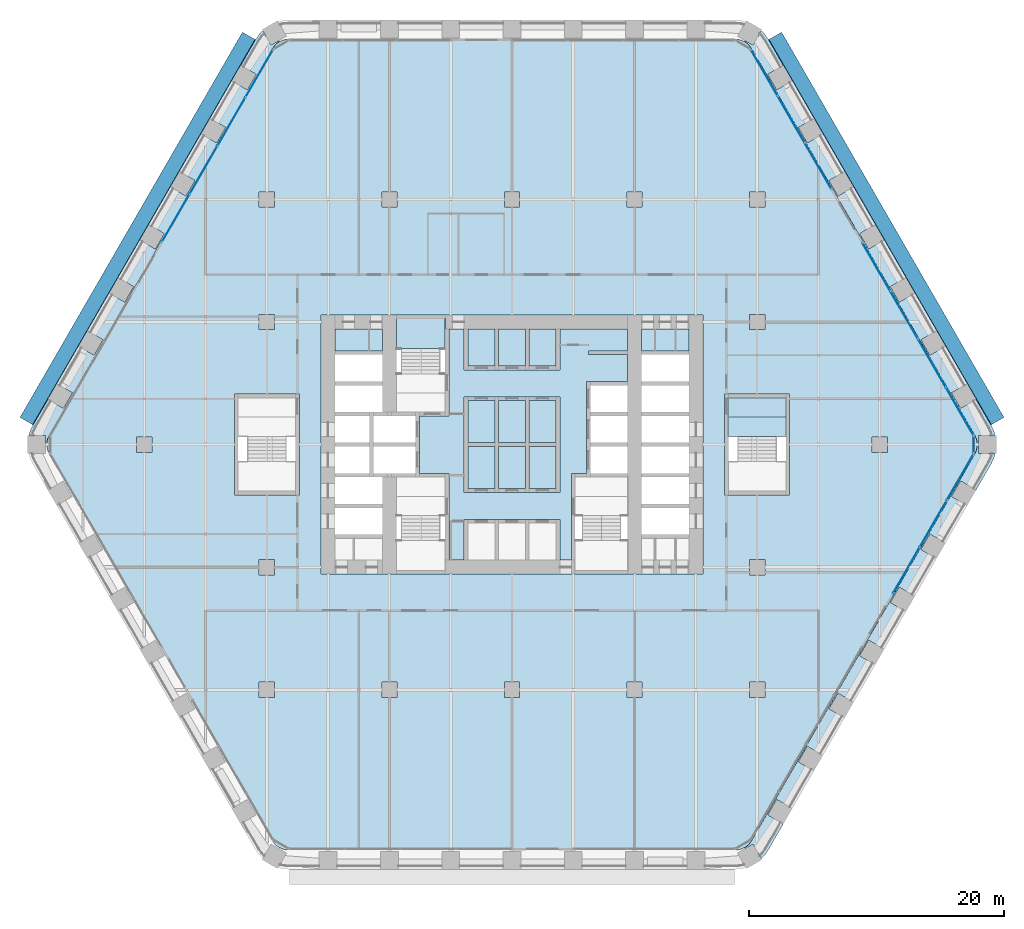
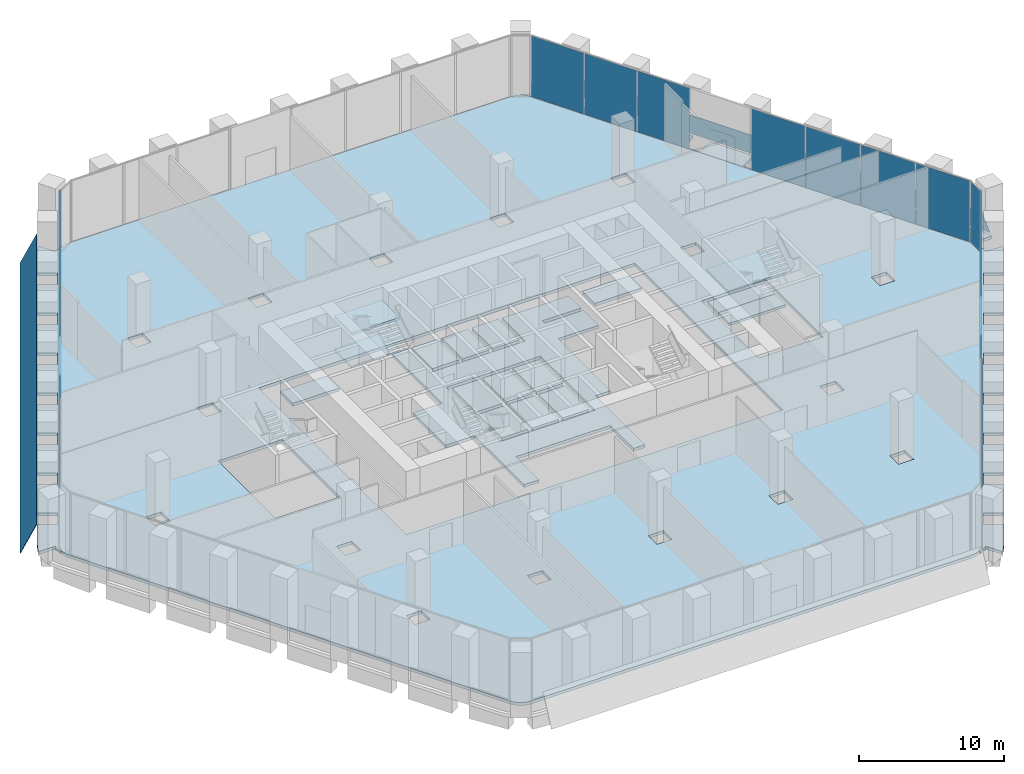
# One storey, part 16 of 27: 21 slabs, 17 plates, 7 elements without a shape of their own.
"""IFC4 building model written with IfcOpenShell, lengths in metres."""

import ifcopenshell
import ifcopenshell.guid

model = None  # the IFC model being written
_history = None  # IfcOwnerHistory: only IFC2X3 demands one
_inside = {}  # id of a spatial element -> (the spatial element, [elements in it])
_under = {}  # id of a project, library or spatial element -> (it, [spatial elements below it])
_declared = {}  # id of a project -> (the project, [libraries it declares])
_typed = {}  # id of a type object -> (the type object, [elements of that type])
_made_of = {}  # id of a material, layer set ... -> (it, [elements and type objects made of it])


def new_model(schema):
    """Start an empty IFC model of exactly this schema.

    Asked for "IFC4X3", IfcOpenShell would pick the latest addendum, in which some entities
    have other attributes; the version numbers below select the first issue.
    IFC2X3 requires an IfcOwnerHistory on every rooted entity: one is made here for all.
    """
    global model, _history
    if schema == "IFC4X3":
        model = ifcopenshell.file(schema_version=(4, 3, 0, 0))
    else:
        model = ifcopenshell.file(schema=schema)
    _inside.clear()
    _under.clear()
    _declared.clear()
    _typed.clear()
    _made_of.clear()
    _history = None
    if model.schema == "IFC2X3":
        org = make("IfcOrganization", Name="unknown")
        user = make(
            "IfcPersonAndOrganization",
            ThePerson=make("IfcPerson", FamilyName="unknown"),
            TheOrganization=org,
        )
        app = make(
            "IfcApplication",
            ApplicationDeveloper=org,
            Version="unknown",
            ApplicationFullName="unknown",
            ApplicationIdentifier="unknown",
        )
        _history = make(
            "IfcOwnerHistory",
            OwningUser=user,
            OwningApplication=app,
            ChangeAction="ADDED",
            CreationDate=0,
        )
    return model


def make(cls, **values):
    """One entity of the class cls with the attributes given. An attribute that is None is left unset."""
    return model.create_entity(
        cls, **{name: value for name, value in values.items() if value is not None}
    )


def rooted(cls, **values):
    """An entity with a GlobalId (a new one), such as an element, a storey or a relation."""
    return make(cls, GlobalId=ifcopenshell.guid.new(), OwnerHistory=_history, **values)


def si_unit(unit_type, name, prefix=None):
    """IfcSIUnit, for example si_unit("LENGTHUNIT", "METRE", prefix="MILLI")."""
    return make("IfcSIUnit", UnitType=unit_type, Prefix=prefix, Name=name)


def assignment(units):
    """IfcUnitAssignment: the units of a project."""
    return None if units is None else make("IfcUnitAssignment", Units=units)


def point(xyz):
    """IfcCartesianPoint."""
    return None if xyz is None else make("IfcCartesianPoint", Coordinates=xyz)


def direction(xyz):
    """IfcDirection."""
    return None if xyz is None else make("IfcDirection", DirectionRatios=xyz)


def frame(location, z_axis=None, x_axis=None):
    """IfcAxis2Placement3D, a coordinate frame: its origin and axes. An axis left out is left unset."""
    return make(
        "IfcAxis2Placement3D",
        Location=point(location),
        Axis=direction(z_axis),
        RefDirection=direction(x_axis),
    )


def frame_2d(location, x_axis=None):
    """IfcAxis2Placement2D, a coordinate frame in the plane: its origin and x axis."""
    return make(
        "IfcAxis2Placement2D", Location=point(location), RefDirection=direction(x_axis)
    )


def origin():
    """The frame at (0, 0, 0) with its axes left unset."""
    return frame((0.0, 0.0, 0.0))


def origin_2d():
    """The frame at (0, 0) in the plane with its x axis left unset."""
    return frame_2d((0.0, 0.0))


def place(relative_to, where):
    """IfcLocalPlacement: puts the frame where relative to a parent placement (None: the world)."""
    return make(
        "IfcLocalPlacement", PlacementRelTo=relative_to, RelativePlacement=where
    )


def context(
    kind, dimensions, precision=None, world=None, true_north=None, identifier=None
):
    """IfcGeometricRepresentationContext, for example the 3D "Model" context."""
    return make(
        "IfcGeometricRepresentationContext",
        ContextIdentifier=identifier,
        ContextType=kind,
        CoordinateSpaceDimension=dimensions,
        Precision=precision,
        WorldCoordinateSystem=world,
        TrueNorth=true_north,
    )


def subcontext(parent, identifier, kind, view, scale=None):
    """IfcGeometricRepresentationSubContext, for example "Body" below "Model"."""
    return make(
        "IfcGeometricRepresentationSubContext",
        ContextIdentifier=identifier,
        ContextType=kind,
        ParentContext=parent,
        TargetScale=scale,
        TargetView=view,
    )


def project(units=None, contexts=None):
    """IfcProject with its units and contexts."""
    return rooted(
        "IfcProject",
        Name="project",
        RepresentationContexts=contexts,
        UnitsInContext=assignment(units),
    )


def spatial(cls, under=None, at=None, **own):
    """A site, building, storey or space (cls), placed at a placement, below another one or the project."""
    s = rooted(cls, ObjectPlacement=at, **own)
    if under is not None:
        _under.setdefault(under.id(), (under, []))[1].append(s)
    return s


def polyline(points):
    """IfcPolyline through the points."""
    return make("IfcPolyline", Points=[point(p) for p in points])


def profile(cls, at=None, kind="AREA", **sizes):
    """A parametric profile (cls). Its sizes go by their IFC names, for example OverallWidth=200.0."""
    return make(cls, ProfileType=kind, Position=at, **sizes)


def rectangle(**sizes):
    """IfcRectangleProfileDef."""
    return profile("IfcRectangleProfileDef", **sizes)


def outline(outer, holes=None, kind="AREA"):
    """IfcArbitraryClosedProfileDef: a profile drawn as a closed curve; with holes, ...WithVoids."""
    if holes is None:
        return make("IfcArbitraryClosedProfileDef", ProfileType=kind, OuterCurve=outer)
    return make(
        "IfcArbitraryProfileDefWithVoids",
        ProfileType=kind,
        OuterCurve=outer,
        InnerCurves=holes,
    )


def extrude(swept, where, along, depth):
    """IfcExtrudedAreaSolid: the profile swept, set in the frame where, extruded along a direction by depth."""
    return make(
        "IfcExtrudedAreaSolid",
        SweptArea=swept,
        Position=where,
        ExtrudedDirection=direction(along),
        Depth=depth,
    )


def shape(context_of_items, identifier, shape_type, items):
    """IfcShapeRepresentation: the items that make up one representation, for example the "Body"."""
    return make(
        "IfcShapeRepresentation",
        ContextOfItems=context_of_items,
        RepresentationIdentifier=identifier,
        RepresentationType=shape_type,
        Items=items,
    )


def material(Name=None, Category=None):
    """IfcMaterial."""
    return make("IfcMaterial", Name=Name, Category=Category)


def layer(
    of_material, thickness, ventilated=None, Name=None, Category=None, Priority=None
):
    """IfcMaterialLayer: one layer of a wall or slab, of a material (None: an air gap)."""
    return make(
        "IfcMaterialLayer",
        Material=of_material,
        LayerThickness=thickness,
        IsVentilated=ventilated,
        Name=Name,
        Category=Category,
        Priority=Priority,
    )


def layer_set(layers, Name=None):
    """IfcMaterialLayerSet."""
    return make("IfcMaterialLayerSet", MaterialLayers=layers, LayerSetName=Name)


def made_of(thing, what):
    """Note that an element or type object is made of a material, layer set ...; save() writes the relation."""
    if what is not None:
        _made_of.setdefault(what.id(), (what, []))[1].append(thing)
    return thing


def type_object(cls, material=None, **own):
    """A type object (cls), such as IfcWallType, which elements share."""
    return made_of(rooted(cls, **own), material)


def element(
    cls,
    number,
    at=None,
    inside=None,
    cuts=None,
    type_object=None,
    material=None,
    context=None,
    identifier="Body",
    shape_type=None,
    held_by="IfcProductDefinitionShape",
    body=None,
    shapes=None,
    **own,
):
    """One element of the class cls, such as IfcWall. Its Tag is "e" and its number.

    at: its placement. inside: the storey or other place that contains it. cuts: it is an
    opening in that element (IfcRelVoidsElement). A single representation is given by context,
    identifier, shape_type and body (its items); several are given by shapes. held_by: the class
    of the entity that holds the representations. save() writes the other relations.
    """
    e = rooted(cls, Tag="e%d" % number, ObjectPlacement=at, **own)
    if body is not None:
        shapes = [shape(context, identifier, shape_type, body)]
    if shapes is not None:
        e.Representation = make(held_by, Representations=shapes)
    if inside is not None:
        _inside.setdefault(inside.id(), (inside, []))[1].append(e)
    if cuts is not None:
        rooted(
            "IfcRelVoidsElement", RelatingBuildingElement=cuts, RelatedOpeningElement=e
        )
    if type_object is not None:
        _typed.setdefault(type_object.id(), (type_object, []))[1].append(e)
    return made_of(e, material)


def aggregate(whole, parts):
    """IfcRelAggregates: a whole, such as a stair, and the parts it consists of."""
    return rooted("IfcRelAggregates", RelatingObject=whole, RelatedObjects=parts)


def save(model, path):
    """Write the relations noted so far, then the file.

    IfcRelAggregates (storeys below a building ...), IfcRelContainedInSpatialStructure (elements
    in a storey), IfcRelDefinesByType, IfcRelAssociatesMaterial and IfcRelDeclares: one each for
    every whole, place, type object, material and project.
    """
    for whole, parts in _under.values():
        aggregate(whole, parts)
    for where, things in _inside.values():
        rooted(
            "IfcRelContainedInSpatialStructure",
            RelatedElements=things,
            RelatingStructure=where,
        )
    for kind, things in _typed.values():
        rooted("IfcRelDefinesByType", RelatedObjects=things, RelatingType=kind)
    for what, things in _made_of.values():
        rooted("IfcRelAssociatesMaterial", RelatedObjects=things, RelatingMaterial=what)
    for by, libraries in _declared.values():
        rooted("IfcRelDeclares", RelatingContext=by, RelatedDefinitions=libraries)
    model.write(path)


model = new_model("IFC4")

# Units and contexts
model_context = context("Model", 3, precision=1e-05, world=origin(), true_north=direction((0.0, 1.0)))
body_context = subcontext(model_context, "Body", "Model", "MODEL_VIEW")
ifc_project = project(units=[si_unit("LENGTHUNIT", "METRE"), si_unit("AREAUNIT", "SQUARE_METRE"), si_unit("VOLUMEUNIT", "CUBIC_METRE"), si_unit("PLANEANGLEUNIT", "RADIAN"), si_unit("MASSUNIT", "GRAM", prefix="KILO")], contexts=[model_context])

# Site, building, storey
site_placement = place(None, origin())
site = spatial("IfcSite", under=ifc_project, at=site_placement, CompositionType="ELEMENT")
building_placement = place(site_placement, origin())
building = spatial("IfcBuilding", under=site, at=building_placement, Name="Kolab Exchange Tower", CompositionType="ELEMENT")
storey_placement = place(building_placement, frame((0.0, 0.0, 49.89990234375)))
storey = spatial("IfcBuildingStorey", under=building, at=storey_placement, Name="L09", CompositionType="ELEMENT", Elevation=49.89990234375)

# Slabs
ifc_material_1 = material(Name="Concrete C35/45", Category="concrete")
ifc_layer_1 = layer(ifc_material_1, 0.25)
ifc_layer_set_1 = layer_set([ifc_layer_1], Name="Concrete C35/45")
slab_type_1 = type_object("IfcSlabType", Name="FLOOR SLAB 250", PredefinedType="FLOOR", material=ifc_layer_set_1)
slab_1_placement = place(storey_placement, frame((0.0, 0.0, -0.25)))
element("IfcSlab", 1, at=slab_1_placement, inside=storey, type_object=slab_type_1, Name="slab/L09/floor/0", PredefinedType="FLOOR", context=body_context, shape_type="SweptSolid", body=[
    extrude(outline(polyline([(18.76708984375, -31.00537109375), (36.23486328125, -0.75), (36.345458984375, -0.512939453125), (36.4130859375, -0.260498046875), (36.435791015625, 0.0), (36.4130859375, 0.260498046875), (36.345458984375, 0.512939453125), (36.23486328125, 0.75), (18.76708984375, 31.00537109375), (18.616943359375, 31.219482421875), (18.43212890625, 31.404541015625), (18.218017578125, 31.554443359375), (17.98095703125, 31.664794921875), (17.728515625, 31.732666015625), (17.468017578125, 31.75537109375), (-17.468017578125, 31.75537109375), (-17.728515625, 31.732666015625), (-17.98095703125, 31.664794921875), (-18.218017578125, 31.554443359375), (-18.43212890625, 31.404541015625), (-18.616943359375, 31.219482421875), (-18.76708984375, 31.00537109375), (-36.23486328125, 0.75), (-36.345458984375, 0.512939453125), (-36.4130859375, 0.260498046875), (-36.435791015625, 0.0), (-36.4130859375, -0.260498046875), (-36.345458984375, -0.512939453125), (-36.23486328125, -0.75), (-18.76708984375, -31.00537109375), (-18.616943359375, -31.219482421875), (-18.43212890625, -31.404541015625), (-18.218017578125, -31.554443359375), (-17.98095703125, -31.664794921875), (-17.728515625, -31.732666015625), (-17.468017578125, -31.75537109375), (17.468017578125, -31.75537109375), (17.728515625, -31.732666015625), (17.98095703125, -31.664794921875), (18.218017578125, -31.554443359375), (18.43212890625, -31.404541015625), (18.616943359375, -31.219482421875), (18.76708984375, -31.00537109375)]), holes=[polyline([(-19.800048828125, -18.60009765625), (-18.60009765625, -18.60009765625), (-18.60009765625, -19.800048828125), (-19.800048828125, -19.800048828125), (-19.800048828125, -18.60009765625)]), polyline([(-18.60009765625, -9.0), (-18.60009765625, -10.199951171875), (-19.800048828125, -10.199951171875), (-19.800048828125, -9.0), (-18.60009765625, -9.0)]), polyline([(-21.75, -3.949951171875), (-21.75, 3.949951171875), (-21.449951171875, 3.949951171875), (-16.949951171875, 3.949951171875), (-16.64990234375, 3.949951171875), (-16.64990234375, -3.949951171875), (-16.949951171875, -3.949951171875), (-21.449951171875, -3.949951171875), (-21.75, -3.949951171875)]), polyline([(-14.949951171875, 10.14990234375), (-13.85009765625, 10.14990234375), (-10.14990234375, 10.14990234375), (-9.050048828125, 10.14990234375), (-5.25, 10.14990234375), (9.050048828125, 10.14990234375), (10.14990234375, 10.14990234375), (13.85009765625, 10.14990234375), (14.949951171875, 10.14990234375), (14.949951171875, -10.14990234375), (13.85009765625, -10.14990234375), (10.14990234375, -10.14990234375), (9.050048828125, -10.14990234375), (4.949951171875, -10.14990234375), (-5.25, -10.14990234375), (-9.050048828125, -10.14990234375), (-10.14990234375, -10.14990234375), (-13.85009765625, -10.14990234375), (-14.949951171875, -10.14990234375), (-14.949951171875, 10.14990234375)]), polyline([(-28.199951171875, 0.60009765625), (-28.199951171875, -0.60009765625), (-29.39990234375, -0.60009765625), (-29.39990234375, 0.60009765625), (-28.199951171875, 0.60009765625)]), polyline([(-18.60009765625, 10.199951171875), (-18.60009765625, 9.0), (-19.800048828125, 9.0), (-19.800048828125, 10.199951171875), (-18.60009765625, 10.199951171875)]), polyline([(-19.800048828125, 19.800048828125), (-18.60009765625, 19.800048828125), (-18.60009765625, 18.60009765625), (-19.800048828125, 18.60009765625), (-19.800048828125, 19.800048828125)]), polyline([(-9.0, -18.60009765625), (-9.0, -19.800048828125), (-10.199951171875, -19.800048828125), (-10.199951171875, -18.60009765625), (-9.0, -18.60009765625)]), polyline([(-9.0, 19.800048828125), (-9.0, 18.60009765625), (-10.199951171875, 18.60009765625), (-10.199951171875, 19.800048828125), (-9.0, 19.800048828125)]), polyline([(0.60009765625, -18.60009765625), (0.60009765625, -19.800048828125), (-0.60009765625, -19.800048828125), (-0.60009765625, -18.60009765625), (0.60009765625, -18.60009765625)]), polyline([(0.60009765625, 19.800048828125), (0.60009765625, 18.60009765625), (-0.60009765625, 18.60009765625), (-0.60009765625, 19.800048828125), (0.60009765625, 19.800048828125)]), polyline([(10.199951171875, -18.60009765625), (10.199951171875, -19.800048828125), (9.0, -19.800048828125), (9.0, -18.60009765625), (10.199951171875, -18.60009765625)]), polyline([(9.0, 19.800048828125), (10.199951171875, 19.800048828125), (10.199951171875, 18.60009765625), (9.0, 18.60009765625), (9.0, 19.800048828125)]), polyline([(19.800048828125, -18.60009765625), (19.800048828125, -19.800048828125), (18.60009765625, -19.800048828125), (18.60009765625, -18.60009765625), (19.800048828125, -18.60009765625)]), polyline([(19.800048828125, -9.0), (19.800048828125, -10.199951171875), (18.60009765625, -10.199951171875), (18.60009765625, -9.0), (19.800048828125, -9.0)]), polyline([(16.949951171875, -3.949951171875), (16.64990234375, -3.949951171875), (16.64990234375, 3.949951171875), (16.949951171875, 3.949951171875), (21.449951171875, 3.949951171875), (21.75, 3.949951171875), (21.75, -3.949951171875), (21.449951171875, -3.949951171875), (16.949951171875, -3.949951171875)]), polyline([(29.39990234375, 0.60009765625), (29.39990234375, -0.60009765625), (28.199951171875, -0.60009765625), (28.199951171875, 0.60009765625), (29.39990234375, 0.60009765625)]), polyline([(18.60009765625, 10.199951171875), (19.800048828125, 10.199951171875), (19.800048828125, 9.0), (18.60009765625, 9.0), (18.60009765625, 10.199951171875)]), polyline([(18.60009765625, 19.800048828125), (19.800048828125, 19.800048828125), (19.800048828125, 18.60009765625), (18.60009765625, 18.60009765625), (18.60009765625, 19.800048828125)])]), origin(), (0.0, 0.0, 1.0), 0.25),
])
slab_2_placement = place(storey_placement, frame((0.0, 0.0, -0.25)))
element("IfcSlab", 2, at=slab_2_placement, inside=storey, type_object=slab_type_1, Name="slab/L09/floor/1", PredefinedType="FLOOR", context=body_context, shape_type="SweptSolid", body=[
    extrude(outline(polyline([(-5.25, 2.25), (-7.25, 2.25), (-7.25, -2.25), (-5.25, -2.25), (-4.949951171875, -2.25), (-4.949951171875, -9.050048828125), (-3.75, -9.050048828125), (-3.75, -5.85009765625), (-3.449951171875, -5.85009765625), (-1.35009765625, -5.85009765625), (-1.050048828125, -5.85009765625), (1.050048828125, -5.85009765625), (1.35009765625, -5.85009765625), (3.449951171875, -5.85009765625), (3.75, -5.85009765625), (3.75, -9.050048828125), (4.64990234375, -9.050048828125), (4.64990234375, -2.25), (4.949951171875, -2.25), (5.85009765625, -2.25), (5.85009765625, 4.949951171875), (6.14990234375, 4.949951171875), (9.050048828125, 4.949951171875), (9.050048828125, 7.050048828125), (6.0, 7.050048828125), (6.0, 7.35009765625), (9.050048828125, 7.35009765625), (9.050048828125, 9.050048828125), (3.75, 9.050048828125), (3.75, 5.85009765625), (3.449951171875, 5.85009765625), (1.35009765625, 5.85009765625), (1.050048828125, 5.85009765625), (-1.050048828125, 5.85009765625), (-1.35009765625, 5.85009765625), (-3.449951171875, 5.85009765625), (-3.75, 5.85009765625), (-3.75, 9.050048828125), (-4.949951171875, 9.050048828125), (-4.949951171875, 2.25), (-5.25, 2.25)]), holes=[polyline([(-1.35009765625, 3.75), (-1.050048828125, 3.75), (1.050048828125, 3.75), (1.35009765625, 3.75), (3.449951171875, 3.75), (3.75, 3.75), (3.75, -3.75), (3.449951171875, -3.75), (1.35009765625, -3.75), (1.050048828125, -3.75), (-1.050048828125, -3.75), (-1.35009765625, -3.75), (-3.449951171875, -3.75), (-3.75, -3.75), (-3.75, 3.75), (-3.449951171875, 3.75), (-1.35009765625, 3.75)])]), origin(), (0.0, 0.0, 1.0), 0.25),
])
slab_3_placement = place(storey_placement, frame((0.0, 0.0, -0.25)))
element("IfcSlab", 3, at=slab_3_placement, inside=storey, type_object=slab_type_1, Name="slab/L09/floor/2", PredefinedType="FLOOR", context=body_context, shape_type="SweptSolid", body=[
    extrude(outline(polyline([(-3.449951171875, -3.449951171875), (-1.35009765625, -3.449951171875), (-1.35009765625, -0.14990234375), (-3.449951171875, -0.14990234375), (-3.449951171875, -3.449951171875)])), origin(), (0.0, 0.0, 1.0), 0.25),
])
slab_4_placement = place(storey_placement, frame((0.0, 0.0, -0.25)))
element("IfcSlab", 4, at=slab_4_placement, inside=storey, type_object=slab_type_1, Name="slab/L09/floor/3", PredefinedType="FLOOR", context=body_context, shape_type="SweptSolid", body=[
    extrude(outline(polyline([(-1.35009765625, 0.14990234375), (-1.35009765625, 3.449951171875), (-3.449951171875, 3.449951171875), (-3.449951171875, 0.14990234375), (-1.35009765625, 0.14990234375)])), origin(), (0.0, 0.0, 1.0), 0.25),
])
slab_5_placement = place(storey_placement, frame((0.0, 0.0, -0.25)))
element("IfcSlab", 5, at=slab_5_placement, inside=storey, type_object=slab_type_1, Name="slab/L09/floor/4", PredefinedType="FLOOR", context=body_context, shape_type="SweptSolid", body=[
    extrude(outline(polyline([(-1.050048828125, -0.14990234375), (-1.050048828125, -3.449951171875), (1.050048828125, -3.449951171875), (1.050048828125, -0.14990234375), (-1.050048828125, -0.14990234375)])), origin(), (0.0, 0.0, 1.0), 0.25),
])
slab_6_placement = place(storey_placement, frame((0.0, 0.0, -0.25)))
element("IfcSlab", 6, at=slab_6_placement, inside=storey, type_object=slab_type_1, Name="slab/L09/floor/5", PredefinedType="FLOOR", context=body_context, shape_type="SweptSolid", body=[
    extrude(outline(polyline([(-1.050048828125, 3.449951171875), (-1.050048828125, 0.14990234375), (1.050048828125, 0.14990234375), (1.050048828125, 3.449951171875), (-1.050048828125, 3.449951171875)])), origin(), (0.0, 0.0, 1.0), 0.25),
])
slab_7_placement = place(storey_placement, frame((0.0, 0.0, -0.25)))
element("IfcSlab", 7, at=slab_7_placement, inside=storey, type_object=slab_type_1, Name="slab/L09/floor/6", PredefinedType="FLOOR", context=body_context, shape_type="SweptSolid", body=[
    extrude(outline(polyline([(1.35009765625, -3.449951171875), (3.449951171875, -3.449951171875), (3.449951171875, -0.14990234375), (1.35009765625, -0.14990234375), (1.35009765625, -3.449951171875)])), origin(), (0.0, 0.0, 1.0), 0.25),
])
slab_8_placement = place(storey_placement, frame((0.0, 0.0, -0.25)))
element("IfcSlab", 8, at=slab_8_placement, inside=storey, type_object=slab_type_1, Name="slab/L09/floor/7", PredefinedType="FLOOR", context=body_context, shape_type="SweptSolid", body=[
    extrude(outline(polyline([(1.35009765625, 0.14990234375), (3.449951171875, 0.14990234375), (3.449951171875, 3.449951171875), (1.35009765625, 3.449951171875), (1.35009765625, 0.14990234375)])), origin(), (0.0, 0.0, 1.0), 0.25),
])
slab_9_placement = place(storey_placement, frame((0.0, 0.0, -0.25)))
element("IfcSlab", 9, at=slab_9_placement, inside=storey, type_object=slab_type_1, Name="slab/L09/floor/9", PredefinedType="FLOOR", context=body_context, shape_type="SweptSolid", body=[
    extrude(outline(polyline([(21.449951171875, 3.64990234375), (16.949951171875, 3.64990234375), (16.949951171875, 2.14990234375), (21.449951171875, 2.14990234375), (21.449951171875, 3.64990234375)])), origin(), (0.0, 0.0, 1.0), 0.25),
])
slab_10_placement = place(storey_placement, frame((0.0, 0.0, -0.25)))
element("IfcSlab", 10, at=slab_10_placement, inside=storey, type_object=slab_type_1, Name="slab/L09/floor/11", PredefinedType="FLOOR", context=body_context, shape_type="SweptSolid", body=[
    extrude(outline(polyline([(-13.85009765625, 7.35009765625), (-10.14990234375, 7.35009765625), (-10.14990234375, 9.050048828125), (-13.85009765625, 9.050048828125), (-13.85009765625, 7.35009765625)])), origin(), (0.0, 0.0, 1.0), 0.25),
])
slab_11_placement = place(storey_placement, frame((0.0, 0.0, -0.25)))
element("IfcSlab", 11, at=slab_11_placement, inside=storey, type_object=slab_type_1, Name="slab/L09/floor/13", PredefinedType="FLOOR", context=body_context, shape_type="SweptSolid", body=[
    extrude(outline(polyline([(10.14990234375, 7.35009765625), (13.85009765625, 7.35009765625), (13.85009765625, 9.050048828125), (10.14990234375, 9.050048828125), (10.14990234375, 7.35009765625)])), origin(), (0.0, 0.0, 1.0), 0.25),
])
slab_12_placement = place(storey_placement, frame((0.0, 0.0, -0.25)))
element("IfcSlab", 12, at=slab_12_placement, inside=storey, type_object=slab_type_1, Name="slab/L09/floor/16", PredefinedType="FLOOR", context=body_context, shape_type="SweptSolid", body=[
    extrude(outline(polyline([(-1.050048828125, 9.050048828125), (-1.050048828125, 6.14990234375), (1.050048828125, 6.14990234375), (1.050048828125, 9.050048828125), (-1.050048828125, 9.050048828125)])), origin(), (0.0, 0.0, 1.0), 0.25),
])
slab_13_placement = place(storey_placement, frame((0.0, 0.0, -0.25)))
element("IfcSlab", 13, at=slab_13_placement, inside=storey, type_object=slab_type_1, Name="slab/L09/floor/18", PredefinedType="FLOOR", context=body_context, shape_type="SweptSolid", body=[
    extrude(outline(polyline([(-1.35009765625, 6.14990234375), (-1.35009765625, 9.050048828125), (-3.449951171875, 9.050048828125), (-3.449951171875, 6.14990234375), (-1.35009765625, 6.14990234375)])), origin(), (0.0, 0.0, 1.0), 0.25),
])
slab_14_placement = place(storey_placement, frame((0.0, 0.0, -0.25)))
element("IfcSlab", 14, at=slab_14_placement, inside=storey, type_object=slab_type_1, Name="slab/L09/floor/20", PredefinedType="FLOOR", context=body_context, shape_type="SweptSolid", body=[
    extrude(outline(polyline([(1.35009765625, 6.14990234375), (3.449951171875, 6.14990234375), (3.449951171875, 9.050048828125), (1.35009765625, 9.050048828125), (1.35009765625, 6.14990234375)])), origin(), (0.0, 0.0, 1.0), 0.25),
])
ifc_layer_2 = layer(ifc_material_1, 0.25)
ifc_layer_set_2 = layer_set([ifc_layer_2], Name="Concrete C35/45")
slab_type_2 = type_object("IfcSlabType", Name="LOGGIA SLAB 250", PredefinedType="FLOOR", material=ifc_layer_set_2)
slab_15_placement = place(storey_placement, frame((0.0, 0.0, -0.25)))
element("IfcSlab", 15, at=slab_15_placement, inside=storey, type_object=slab_type_2, Name="slab/L09/loggia/1-0", PredefinedType="FLOOR", context=body_context, shape_type="SweptSolid", body=[
    extrude(outline(polyline([(36.435791015625, 0.0), (36.535888671875, 0.0), (36.535888671875, 0.699951171875), (37.84228515625, 0.699951171875), (37.7548828125, 1.026123046875), (37.533935546875, 1.5), (36.35009765625, 3.55078125), (35.137451171875, 2.8505859375), (34.4375, 4.063232421875), (35.64990234375, 4.76318359375), (33.949951171875, 7.70751953125), (32.737548828125, 7.007568359375), (32.03759765625, 8.219970703125), (33.25, 8.920166015625), (31.550048828125, 11.864501953125), (30.337646484375, 11.16455078125), (29.637451171875, 12.376953125), (30.85009765625, 13.076904296875), (29.14990234375, 16.021484375), (27.9375, 15.321533203125), (27.237548828125, 16.533935546875), (28.449951171875, 17.23388671875), (26.75, 20.178466796875), (25.53759765625, 19.478271484375), (24.837646484375, 20.69091796875), (26.050048828125, 21.390869140625), (24.35009765625, 24.335205078125), (23.137451171875, 23.63525390625), (22.4375, 24.84765625), (23.64990234375, 25.5478515625), (21.949951171875, 28.4921875), (20.737548828125, 27.792236328125), (20.03759765625, 29.004638671875), (21.25, 29.70458984375), (20.06591796875, 31.75537109375), (19.76611328125, 32.183837890625), (19.52734375, 32.42236328125), (18.874267578125, 31.291015625), (18.26806640625, 31.64111328125), (18.218017578125, 31.554443359375), (18.43212890625, 31.404541015625), (18.616943359375, 31.219482421875), (18.76708984375, 31.00537109375), (36.23486328125, 0.75), (36.345458984375, 0.512939453125), (36.4130859375, 0.260498046875), (36.435791015625, 0.0)])), origin(), (0.0, 0.0, 1.0), 0.25),
])
slab_16_placement = place(storey_placement, frame((0.0, 0.0, -0.25)))
element("IfcSlab", 16, at=slab_16_placement, inside=storey, type_object=slab_type_2, Name="slab/L09/loggia/2-0", PredefinedType="FLOOR", context=body_context, shape_type="SweptSolid", body=[
    extrude(outline(polyline([(20.06591796875, -31.75537109375), (21.25, -29.70458984375), (20.03759765625, -29.004638671875), (20.737548828125, -27.792236328125), (21.949951171875, -28.4921875), (23.64990234375, -25.5478515625), (22.4375, -24.84765625), (23.137451171875, -23.63525390625), (24.35009765625, -24.335205078125), (26.050048828125, -21.390869140625), (24.837646484375, -20.69091796875), (25.53759765625, -19.478271484375), (26.75, -20.178466796875), (28.449951171875, -17.23388671875), (27.237548828125, -16.533935546875), (27.9375, -15.321533203125), (29.14990234375, -16.021484375), (30.85009765625, -13.076904296875), (29.637451171875, -12.376953125), (30.337646484375, -11.16455078125), (31.550048828125, -11.864501953125), (33.25, -8.920166015625), (32.03759765625, -8.219970703125), (32.737548828125, -7.007568359375), (33.949951171875, -7.70751953125), (35.64990234375, -4.76318359375), (34.4375, -4.063232421875), (35.137451171875, -2.8505859375), (36.35009765625, -3.55078125), (37.533935546875, -1.5), (37.7548828125, -1.026123046875), (37.84228515625, -0.699951171875), (36.535888671875, -0.699951171875), (36.535888671875, 0.0), (36.435791015625, 0.0), (36.4130859375, -0.260498046875), (36.345458984375, -0.512939453125), (36.23486328125, -0.75), (18.76708984375, -31.00537109375), (18.616943359375, -31.219482421875), (18.43212890625, -31.404541015625), (18.218017578125, -31.554443359375), (18.26806640625, -31.64111328125), (18.874267578125, -31.291015625), (19.52734375, -32.42236328125), (19.76611328125, -32.183837890625), (20.06591796875, -31.75537109375)])), origin(), (0.0, 0.0, 1.0), 0.25),
])
slab_17_placement = place(storey_placement, frame((0.0, 0.0, -0.25)))
element("IfcSlab", 17, at=slab_17_placement, inside=storey, type_object=slab_type_2, Name="slab/L09/loggia/5-0", PredefinedType="FLOOR", context=body_context, shape_type="SweptSolid", body=[
    extrude(outline(polyline([(-18.218017578125, 31.554443359375), (-18.26806640625, 31.64111328125), (-18.874267578125, 31.291015625), (-19.52734375, 32.42236328125), (-19.76611328125, 32.183837890625), (-20.06591796875, 31.75537109375), (-21.25, 29.70458984375), (-20.03759765625, 29.004638671875), (-20.737548828125, 27.792236328125), (-21.949951171875, 28.4921875), (-23.64990234375, 25.5478515625), (-22.4375, 24.84765625), (-23.137451171875, 23.63525390625), (-24.35009765625, 24.335205078125), (-26.050048828125, 21.390869140625), (-24.837646484375, 20.69091796875), (-25.53759765625, 19.478271484375), (-26.75, 20.178466796875), (-28.449951171875, 17.23388671875), (-27.237548828125, 16.533935546875), (-27.9375, 15.321533203125), (-29.14990234375, 16.021484375), (-30.85009765625, 13.076904296875), (-29.637451171875, 12.376953125), (-30.337646484375, 11.16455078125), (-31.550048828125, 11.864501953125), (-33.25, 8.920166015625), (-32.03759765625, 8.219970703125), (-32.737548828125, 7.007568359375), (-33.949951171875, 7.70751953125), (-35.64990234375, 4.76318359375), (-34.4375, 4.063232421875), (-35.137451171875, 2.8505859375), (-36.35009765625, 3.55078125), (-37.533935546875, 1.5), (-37.7548828125, 1.026123046875), (-37.84228515625, 0.699951171875), (-36.535888671875, 0.699951171875), (-36.535888671875, 0.0), (-36.435791015625, 0.0), (-36.4130859375, 0.260498046875), (-36.345458984375, 0.512939453125), (-36.23486328125, 0.75), (-18.76708984375, 31.00537109375), (-18.616943359375, 31.219482421875), (-18.43212890625, 31.404541015625), (-18.218017578125, 31.554443359375)])), origin(), (0.0, 0.0, 1.0), 0.25),
])

# Plates
ifc_material_2 = material(Name="Laminated glass, clear", Category="glass")
ifc_layer_3 = layer(ifc_material_2, 0.0400390625)
ifc_layer_set_3 = layer_set([ifc_layer_3], Name="Laminated glass, clear")
plate_type_1 = type_object("IfcPlateType", Name="OUTER SKIN LAMINATED GLASS SHEET 40", PredefinedType="SHEET", material=ifc_layer_set_3)
plate_1_placement = place(storey_placement, frame((21.11279296875, 32.302001953125, -0.782958984375), z_axis=(0.784872769673, 0.453148092024, 0.422648248689), x_axis=(0.500001313459, -0.866024645457, 0.0)))
element("IfcPlate", 18, at=plate_1_placement, inside=storey, type_object=plate_type_1, Name="Outer skin", PredefinedType="SHEET", context=body_context, shape_type="SweptSolid", body=[
    extrude(outline(polyline([(0.0, 0.0), (34.83584598906518, 0.0), (34.83577870170086, -2.7059575705201855), (-6.728736431932392e-05, -2.705957570520185), (0.0, 0.0)])), origin(), (0.0, 0.0, -1.0), 0.0400390625),
])
plate_2_placement = place(storey_placement, frame((-38.53076171875, 2.13330078125, -0.782958984375), z_axis=(-0.784872769673, 0.453148092024, 0.422648248689), x_axis=(0.500001313459, 0.866024645457, 0.0)))
element("IfcPlate", 19, at=plate_2_placement, inside=storey, type_object=plate_type_1, Name="Outer skin", PredefinedType="SHEET", context=body_context, shape_type="SweptSolid", body=[
    extrude(outline(polyline([(0.0, 0.0), (34.83584598906518, 0.0), (34.8359132764295, -2.7059575705201846), (6.728736431932392e-05, -2.705957570520185), (0.0, 0.0)])), origin(), (0.0, 0.0, -1.0), 0.0400390625),
])

# Stair, slabs
ifc_material_3 = material(Name="Concrete C50/60", Category="concrete")
stair_type_1 = type_object("IfcStairType", Name="STAIR ST1 RISER 171.9", PredefinedType="DOUBLE_RETURN_STAIR", material=ifc_material_3)
stair_1_placement = place(storey_placement, origin())
stair_1 = element("IfcStair", 20, at=stair_1_placement, inside=storey, type_object=stair_type_1, Name="Stair 1", PredefinedType="DOUBLE_RETURN_STAIR")
ifc_layer_4 = layer(ifc_material_3, 0.199951171875)
ifc_layer_set_4 = layer_set([ifc_layer_4], Name="Concrete C50/60")
slab_type_3 = type_object("IfcSlabType", Name="STAIR LANDING 200", PredefinedType="LANDING", material=ifc_layer_set_4)
slab_18_placement = place(storey_placement, frame((0.0, 0.0, 1.175048828125)))
slab_18 = element("IfcSlab", 21, at=slab_18_placement, type_object=slab_type_3, Name="ST1 landing 2", PredefinedType="LANDING", context=body_context, shape_type="SweptSolid", body=[
    extrude(outline(polyline([(-9.110107421875, 7.510009765625), (-5.18994140625, 7.510009765625), (-5.18994140625, 9.909912109375), (-9.110107421875, 9.909912109375), (-9.110107421875, 7.510009765625)])), origin(), (0.0, 0.0, 1.0), 0.199951171875),
])
slab_19_placement = place(storey_placement, frame((0.0, 0.0, 3.925048828125)))
slab_19 = element("IfcSlab", 22, at=slab_19_placement, type_object=slab_type_3, Name="ST1 landing 4", PredefinedType="LANDING", context=body_context, shape_type="SweptSolid", body=[
    extrude(outline(polyline([(-9.050048828125, 7.510009765625), (-5.25, 7.510009765625), (-5.25, 9.909912109375), (-9.050048828125, 9.909912109375), (-9.050048828125, 7.510009765625)])), origin(), (0.0, 0.0, 1.0), 0.199951171875),
])
aggregate(stair_1, [slab_18, slab_19])

stair_type_2 = type_object("IfcStairType", Name="STAIR ST4 RISER 171.9", PredefinedType="DOUBLE_RETURN_STAIR", material=ifc_material_3)
stair_2_placement = place(storey_placement, origin())
stair_2 = element("IfcStair", 23, at=stair_2_placement, inside=storey, type_object=stair_type_2, Name="Stair 4", PredefinedType="DOUBLE_RETURN_STAIR")
slab_20_placement = place(storey_placement, frame((0.0, 0.0, -0.199951171875)))
slab_20 = element("IfcSlab", 24, at=slab_20_placement, type_object=slab_type_3, Name="ST4 landing 1", PredefinedType="LANDING", context=body_context, shape_type="SweptSolid", body=[
    extrude(outline(polyline([(16.949951171875, 0.64990234375), (21.449951171875, 0.64990234375), (21.449951171875, 2.14990234375), (16.949951171875, 2.14990234375), (16.949951171875, 0.64990234375)])), origin(), (0.0, 0.0, 1.0), 0.199951171875),
])
slab_21_placement = place(storey_placement, frame((0.0, 0.0, 2.550048828125)))
slab_21 = element("IfcSlab", 25, at=slab_21_placement, type_object=slab_type_3, Name="ST4 landing 3", PredefinedType="LANDING", context=body_context, shape_type="SweptSolid", body=[
    extrude(outline(polyline([(16.889892578125, 0.64990234375), (21.510009765625, 0.64990234375), (21.510009765625, 3.7099609375), (16.889892578125, 3.7099609375), (16.889892578125, 0.64990234375)])), origin(), (0.0, 0.0, 1.0), 0.199951171875),
])
aggregate(stair_2, [slab_20, slab_21])

# Curtain wall, plates
ifc_material_4 = material(Name="Aluminium EN AW-6063 T6", Category="aluminium")
curtain_wall_type = type_object("IfcCurtainWallType", Name="UNITISED LOW ZONE CURTAIN WALL", PredefinedType="NOTDEFINED", material=ifc_material_4)
curtain_wall_1_placement = place(storey_placement, origin())
curtain_wall_1 = element("IfcCurtainWall", 26, at=curtain_wall_1_placement, inside=storey, type_object=curtain_wall_type, Name="cw/L09/F2-1", PredefinedType="NOTDEFINED")
ifc_material_5 = material(Name="Clear insulated glazing unit", Category="glass")
ifc_layer_5 = layer(ifc_material_5, 0.02392578125)
ifc_layer_set_5 = layer_set([ifc_layer_5], Name="Clear insulated glazing unit")
plate_type_2 = type_object("IfcPlateType", Name="UNITISED LOW ZONE GLASS PANEL 24", PredefinedType="CURTAIN_PANEL", material=ifc_layer_set_5)
plate_3_placement = place(storey_placement, frame((19.760986328125, 29.1240234375, 0.06005859375), z_axis=(0.0, 0.0, 1.0), x_axis=(0.500000017564, -0.866025393644, 0.0)))
plate_3 = element("IfcPlate", 27, at=plate_3_placement, type_object=plate_type_2, Name="CW1 panel 1.1", PredefinedType="CURTAIN_PANEL", context=body_context, shape_type="SweptSolid", body=[
    extrude(rectangle(XDim=4.132568359375, YDim=0.02392578125, at=origin_2d()), origin(), (0.0, 0.0, 1.0), 5.1298828125),
])
plate_4_placement = place(storey_placement, frame((21.86474609375, 25.47998046875, 0.06005859375), z_axis=(0.0, 0.0, 1.0), x_axis=(0.500000017564, -0.866025393644, 0.0)))
plate_4 = element("IfcPlate", 28, at=plate_4_placement, type_object=plate_type_2, Name="CW1 panel 2.1", PredefinedType="CURTAIN_PANEL", context=body_context, shape_type="SweptSolid", body=[
    extrude(rectangle(XDim=4.16259765625, YDim=0.02392578125, at=origin_2d()), origin(), (0.0, 0.0, 1.0), 5.1298828125),
])
plate_5_placement = place(storey_placement, frame((23.968505859375, 21.836181640625, 0.06005859375), z_axis=(0.0, 0.0, 1.0), x_axis=(0.500000017564, -0.866025393644, 0.0)))
plate_5 = element("IfcPlate", 29, at=plate_5_placement, type_object=plate_type_2, Name="CW1 panel 3.1", PredefinedType="CURTAIN_PANEL", context=body_context, shape_type="SweptSolid", body=[
    extrude(rectangle(XDim=4.132568359375, YDim=0.02392578125, at=origin_2d()), origin(), (0.0, 0.0, 1.0), 5.1298828125),
])
aggregate(curtain_wall_1, [plate_3, plate_4, plate_5])

curtain_wall_2_placement = place(storey_placement, origin())
curtain_wall_2 = element("IfcCurtainWall", 30, at=curtain_wall_2_placement, inside=storey, type_object=curtain_wall_type, Name="cw/L09/F2-2", PredefinedType="NOTDEFINED")
plate_6_placement = place(storey_placement, frame((28.531005859375, 13.933837890625, 0.06005859375), z_axis=(0.0, 0.0, 1.0), x_axis=(0.499999968274, -0.866025422102, 0.0)))
plate_6 = element("IfcPlate", 31, at=plate_6_placement, type_object=plate_type_2, Name="CW1 panel 1.1", PredefinedType="CURTAIN_PANEL", context=body_context, shape_type="SweptSolid", body=[
    extrude(rectangle(XDim=4.277099609375, YDim=0.02392578125, at=origin_2d()), origin(), (0.0, 0.0, 1.0), 5.1298828125),
])
plate_7_placement = place(storey_placement, frame((30.70703125, 10.164794921875, 0.06005859375), z_axis=(0.0, 0.0, 1.0), x_axis=(0.499999968274, -0.866025422102, 0.0)))
plate_7 = element("IfcPlate", 32, at=plate_7_placement, type_object=plate_type_2, Name="CW1 panel 2.1", PredefinedType="CURTAIN_PANEL", context=body_context, shape_type="SweptSolid", body=[
    extrude(rectangle(XDim=4.306884765625, YDim=0.02392578125, at=origin_2d()), origin(), (0.0, 0.0, 1.0), 5.1298828125),
])
plate_8_placement = place(storey_placement, frame((32.890380859375, 6.3828125, 0.06005859375), z_axis=(0.0, 0.0, 1.0), x_axis=(0.499999968274, -0.866025422102, 0.0)))
plate_8 = element("IfcPlate", 33, at=plate_8_placement, type_object=plate_type_2, Name="CW1 panel 3.1", PredefinedType="CURTAIN_PANEL", context=body_context, shape_type="SweptSolid", body=[
    extrude(rectangle(XDim=4.306884765625, YDim=0.02392578125, at=origin_2d()), origin(), (0.0, 0.0, 1.0), 5.1298828125),
])
plate_9_placement = place(storey_placement, frame((35.06640625, 2.614013671875, 0.06005859375), z_axis=(0.0, 0.0, 1.0), x_axis=(0.499999968274, -0.866025422102, 0.0)))
plate_9 = element("IfcPlate", 34, at=plate_9_placement, type_object=plate_type_2, Name="CW1 panel 4.1", PredefinedType="CURTAIN_PANEL", context=body_context, shape_type="SweptSolid", body=[
    extrude(rectangle(XDim=4.277099609375, YDim=0.02392578125, at=origin_2d()), origin(), (0.0, 0.0, 1.0), 5.1298828125),
])
aggregate(curtain_wall_2, [plate_6, plate_7, plate_8, plate_9])

curtain_wall_3_placement = place(storey_placement, origin())
curtain_wall_3 = element("IfcCurtainWall", 35, at=curtain_wall_3_placement, inside=storey, type_object=curtain_wall_type, Name="cw/L09/F3-1", PredefinedType="NOTDEFINED")
plate_10_placement = place(storey_placement, frame((35.1025390625, -2.551513671875, 0.06005859375), z_axis=(0.0, 0.0, 1.0), x_axis=(-0.499999958358, -0.866025427826, 0.0)))
plate_10 = element("IfcPlate", 36, at=plate_10_placement, type_object=plate_type_2, Name="CW1 panel 1.1", PredefinedType="CURTAIN_PANEL", context=body_context, shape_type="SweptSolid", body=[
    extrude(rectangle(XDim=4.132568359375, YDim=0.02392578125, at=origin_2d()), origin(), (0.0, 0.0, 1.0), 5.1298828125),
])
plate_11_placement = place(storey_placement, frame((32.998779296875, -6.1953125, 0.06005859375), z_axis=(0.0, 0.0, 1.0), x_axis=(-0.499999958358, -0.866025427826, 0.0)))
plate_11 = element("IfcPlate", 37, at=plate_11_placement, type_object=plate_type_2, Name="CW1 panel 2.1", PredefinedType="CURTAIN_PANEL", context=body_context, shape_type="SweptSolid", body=[
    extrude(rectangle(XDim=4.16259765625, YDim=0.02392578125, at=origin_2d()), origin(), (0.0, 0.0, 1.0), 5.1298828125),
])
plate_12_placement = place(storey_placement, frame((30.894775390625, -9.83935546875, 0.06005859375), z_axis=(0.0, 0.0, 1.0), x_axis=(-0.499999958358, -0.866025427826, 0.0)))
plate_12 = element("IfcPlate", 38, at=plate_12_placement, type_object=plate_type_2, Name="CW1 panel 3.1", PredefinedType="CURTAIN_PANEL", context=body_context, shape_type="SweptSolid", body=[
    extrude(rectangle(XDim=4.132568359375, YDim=0.02392578125, at=origin_2d()), origin(), (0.0, 0.0, 1.0), 5.1298828125),
])
aggregate(curtain_wall_3, [plate_10, plate_11, plate_12])

curtain_wall_4_placement = place(storey_placement, origin())
curtain_wall_4 = element("IfcCurtainWall", 39, at=curtain_wall_4_placement, inside=storey, type_object=curtain_wall_type, Name="cw/L09/F6-2", PredefinedType="NOTDEFINED")
plate_13_placement = place(storey_placement, frame((-26.33251953125, 17.74169921875, 0.06005859375), z_axis=(0.0, 0.0, 1.0), x_axis=(0.5000000112, 0.866025397318, 0.0)))
plate_13 = element("IfcPlate", 40, at=plate_13_placement, type_object=plate_type_2, Name="CW1 panel 1.1", PredefinedType="CURTAIN_PANEL", context=body_context, shape_type="SweptSolid", body=[
    extrude(rectangle(XDim=4.277099609375, YDim=0.02392578125, at=origin_2d()), origin(), (0.0, 0.0, 1.0), 5.1298828125),
])
plate_14_placement = place(storey_placement, frame((-24.156494140625, 21.510498046875, 0.06005859375), z_axis=(0.0, 0.0, 1.0), x_axis=(0.5000000112, 0.866025397318, 0.0)))
plate_14 = element("IfcPlate", 41, at=plate_14_placement, type_object=plate_type_2, Name="CW1 panel 2.1", PredefinedType="CURTAIN_PANEL", context=body_context, shape_type="SweptSolid", body=[
    extrude(rectangle(XDim=4.306884765625, YDim=0.02392578125, at=origin_2d()), origin(), (0.0, 0.0, 1.0), 5.1298828125),
])
plate_15_placement = place(storey_placement, frame((-21.972900390625, 25.29248046875, 0.06005859375), z_axis=(0.0, 0.0, 1.0), x_axis=(0.5000000112, 0.866025397318, 0.0)))
plate_15 = element("IfcPlate", 42, at=plate_15_placement, type_object=plate_type_2, Name="CW1 panel 3.1", PredefinedType="CURTAIN_PANEL", context=body_context, shape_type="SweptSolid", body=[
    extrude(rectangle(XDim=4.306884765625, YDim=0.02392578125, at=origin_2d()), origin(), (0.0, 0.0, 1.0), 5.1298828125),
])
plate_16_placement = place(storey_placement, frame((-19.796875, 29.0615234375, 0.06005859375), z_axis=(0.0, 0.0, 1.0), x_axis=(0.5000000112, 0.866025397318, 0.0)))
plate_16 = element("IfcPlate", 43, at=plate_16_placement, type_object=plate_type_2, Name="CW1 panel 4.1", PredefinedType="CURTAIN_PANEL", context=body_context, shape_type="SweptSolid", body=[
    extrude(rectangle(XDim=4.277099609375, YDim=0.02392578125, at=origin_2d()), origin(), (0.0, 0.0, 1.0), 5.1298828125),
])
aggregate(curtain_wall_4, [plate_13, plate_14, plate_15, plate_16])

# Curtain wall, plate
curtain_wall_5_placement = place(storey_placement, origin())
curtain_wall_5 = element("IfcCurtainWall", 44, at=curtain_wall_5_placement, inside=storey, type_object=curtain_wall_type, Name="cw/L09/F2F3-corner", PredefinedType="NOTDEFINED")
plate_17_placement = place(storey_placement, frame((36.165771484375, 0.0, 0.06005859375), z_axis=(0.0, 0.0, 1.0), x_axis=(0.0, -1.0, 0.0)))
plate_17 = element("IfcPlate", 45, at=plate_17_placement, type_object=plate_type_2, Name="CW1 panel 1.1", PredefinedType="CURTAIN_PANEL", context=body_context, shape_type="SweptSolid", body=[
    extrude(rectangle(XDim=1.300048828125, YDim=0.02392578125, at=origin_2d()), origin(), (0.0, 0.0, 1.0), 5.1298828125),
])
aggregate(curtain_wall_5, [plate_17])

save(model, "model.ifc")
